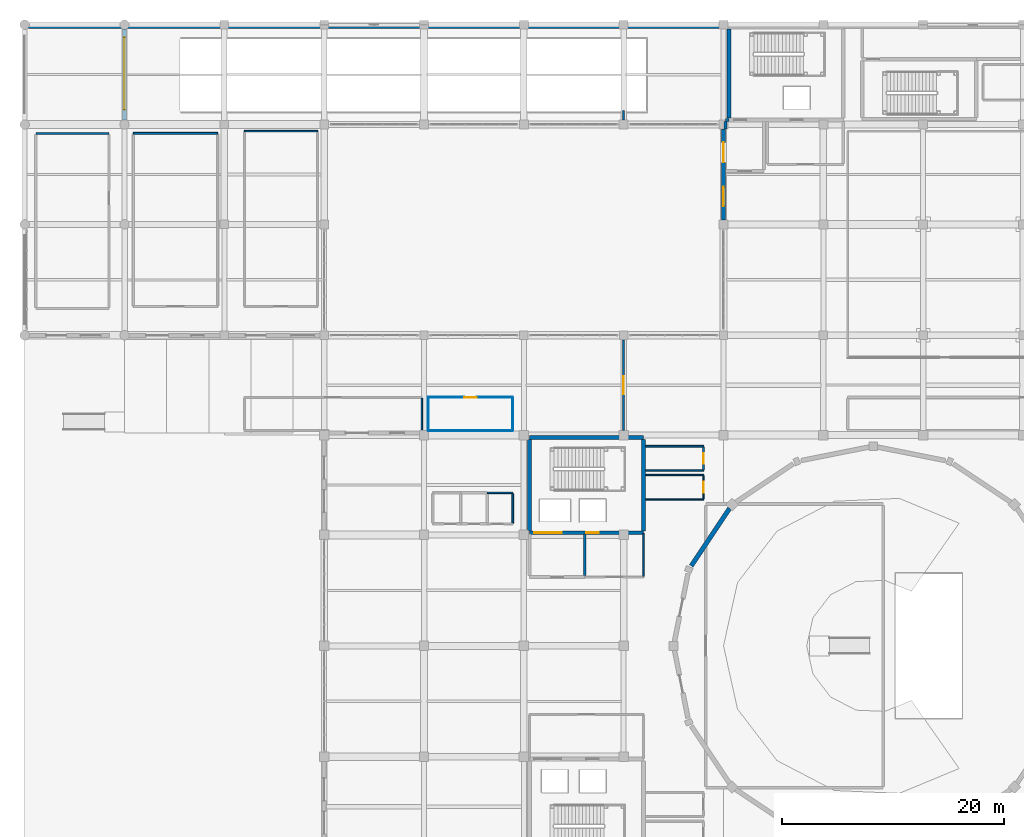
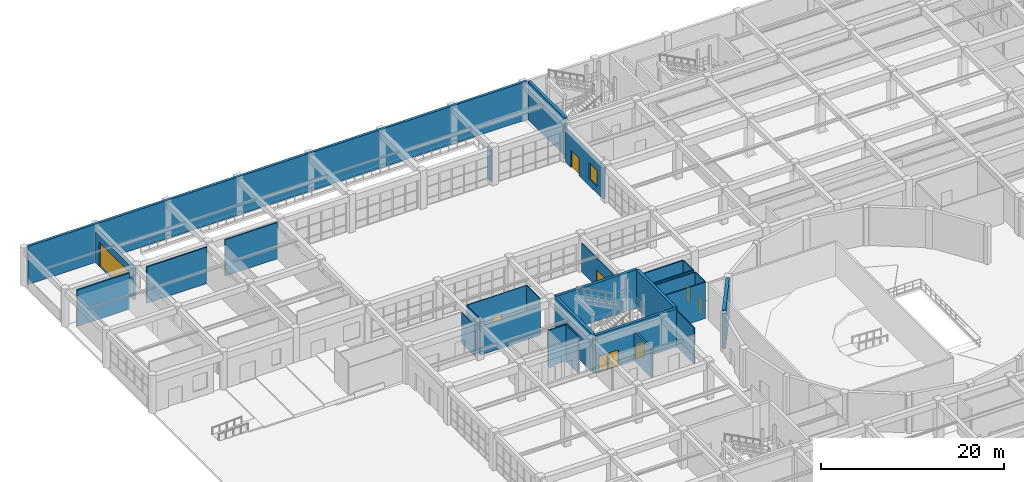
# One storey, part 107 of 128: 31 walls, 9 doors, 1 window, 10 openings.
"""IFC4 building model written with IfcOpenShell, lengths in metres."""

import ifcopenshell
import ifcopenshell.guid

model = None  # the IFC model being written
_history = None  # IfcOwnerHistory: only IFC2X3 demands one
_inside = {}  # id of a spatial element -> (the spatial element, [elements in it])
_under = {}  # id of a project, library or spatial element -> (it, [spatial elements below it])
_declared = {}  # id of a project -> (the project, [libraries it declares])
_typed = {}  # id of a type object -> (the type object, [elements of that type])
_made_of = {}  # id of a material, layer set ... -> (it, [elements and type objects made of it])


def new_model(schema):
    """Start an empty IFC model of exactly this schema.

    Asked for "IFC4X3", IfcOpenShell would pick the latest addendum, in which some entities
    have other attributes; the version numbers below select the first issue.
    IFC2X3 requires an IfcOwnerHistory on every rooted entity: one is made here for all.
    """
    global model, _history
    if schema == "IFC4X3":
        model = ifcopenshell.file(schema_version=(4, 3, 0, 0))
    else:
        model = ifcopenshell.file(schema=schema)
    _inside.clear()
    _under.clear()
    _declared.clear()
    _typed.clear()
    _made_of.clear()
    _history = None
    if model.schema == "IFC2X3":
        org = make("IfcOrganization", Name="unknown")
        user = make(
            "IfcPersonAndOrganization",
            ThePerson=make("IfcPerson", FamilyName="unknown"),
            TheOrganization=org,
        )
        app = make(
            "IfcApplication",
            ApplicationDeveloper=org,
            Version="unknown",
            ApplicationFullName="unknown",
            ApplicationIdentifier="unknown",
        )
        _history = make(
            "IfcOwnerHistory",
            OwningUser=user,
            OwningApplication=app,
            ChangeAction="ADDED",
            CreationDate=0,
        )
    return model


def make(cls, **values):
    """One entity of the class cls with the attributes given. An attribute that is None is left unset."""
    return model.create_entity(
        cls, **{name: value for name, value in values.items() if value is not None}
    )


def rooted(cls, **values):
    """An entity with a GlobalId (a new one), such as an element, a storey or a relation."""
    return make(cls, GlobalId=ifcopenshell.guid.new(), OwnerHistory=_history, **values)


def si_unit(unit_type, name, prefix=None):
    """IfcSIUnit, for example si_unit("LENGTHUNIT", "METRE", prefix="MILLI")."""
    return make("IfcSIUnit", UnitType=unit_type, Prefix=prefix, Name=name)


def assignment(units):
    """IfcUnitAssignment: the units of a project."""
    return None if units is None else make("IfcUnitAssignment", Units=units)


def point(xyz):
    """IfcCartesianPoint."""
    return None if xyz is None else make("IfcCartesianPoint", Coordinates=xyz)


def direction(xyz):
    """IfcDirection."""
    return None if xyz is None else make("IfcDirection", DirectionRatios=xyz)


def frame(location, z_axis=None, x_axis=None):
    """IfcAxis2Placement3D, a coordinate frame: its origin and axes. An axis left out is left unset."""
    return make(
        "IfcAxis2Placement3D",
        Location=point(location),
        Axis=direction(z_axis),
        RefDirection=direction(x_axis),
    )


def frame_2d(location, x_axis=None):
    """IfcAxis2Placement2D, a coordinate frame in the plane: its origin and x axis."""
    return make(
        "IfcAxis2Placement2D", Location=point(location), RefDirection=direction(x_axis)
    )


def origin():
    """The frame at (0, 0, 0) with its axes left unset."""
    return frame((0.0, 0.0, 0.0))


def place(relative_to, where):
    """IfcLocalPlacement: puts the frame where relative to a parent placement (None: the world)."""
    return make(
        "IfcLocalPlacement", PlacementRelTo=relative_to, RelativePlacement=where
    )


def context(
    kind, dimensions, precision=None, world=None, true_north=None, identifier=None
):
    """IfcGeometricRepresentationContext, for example the 3D "Model" context."""
    return make(
        "IfcGeometricRepresentationContext",
        ContextIdentifier=identifier,
        ContextType=kind,
        CoordinateSpaceDimension=dimensions,
        Precision=precision,
        WorldCoordinateSystem=world,
        TrueNorth=true_north,
    )


def subcontext(parent, identifier, kind, view, scale=None):
    """IfcGeometricRepresentationSubContext, for example "Body" below "Model"."""
    return make(
        "IfcGeometricRepresentationSubContext",
        ContextIdentifier=identifier,
        ContextType=kind,
        ParentContext=parent,
        TargetScale=scale,
        TargetView=view,
    )


def project(units=None, contexts=None):
    """IfcProject with its units and contexts."""
    return rooted(
        "IfcProject",
        Name="project",
        RepresentationContexts=contexts,
        UnitsInContext=assignment(units),
    )


def spatial(cls, under=None, at=None, **own):
    """A site, building, storey or space (cls), placed at a placement, below another one or the project."""
    s = rooted(cls, ObjectPlacement=at, **own)
    if under is not None:
        _under.setdefault(under.id(), (under, []))[1].append(s)
    return s


def profile(cls, at=None, kind="AREA", **sizes):
    """A parametric profile (cls). Its sizes go by their IFC names, for example OverallWidth=200.0."""
    return make(cls, ProfileType=kind, Position=at, **sizes)


def rectangle(**sizes):
    """IfcRectangleProfileDef."""
    return profile("IfcRectangleProfileDef", **sizes)


def extrude(swept, where, along, depth):
    """IfcExtrudedAreaSolid: the profile swept, set in the frame where, extruded along a direction by depth."""
    return make(
        "IfcExtrudedAreaSolid",
        SweptArea=swept,
        Position=where,
        ExtrudedDirection=direction(along),
        Depth=depth,
    )


def shape(context_of_items, identifier, shape_type, items):
    """IfcShapeRepresentation: the items that make up one representation, for example the "Body"."""
    return make(
        "IfcShapeRepresentation",
        ContextOfItems=context_of_items,
        RepresentationIdentifier=identifier,
        RepresentationType=shape_type,
        Items=items,
    )


def material(Name=None, Category=None):
    """IfcMaterial."""
    return make("IfcMaterial", Name=Name, Category=Category)


def layer(
    of_material, thickness, ventilated=None, Name=None, Category=None, Priority=None
):
    """IfcMaterialLayer: one layer of a wall or slab, of a material (None: an air gap)."""
    return make(
        "IfcMaterialLayer",
        Material=of_material,
        LayerThickness=thickness,
        IsVentilated=ventilated,
        Name=Name,
        Category=Category,
        Priority=Priority,
    )


def layer_set(layers, Name=None):
    """IfcMaterialLayerSet."""
    return make("IfcMaterialLayerSet", MaterialLayers=layers, LayerSetName=Name)


def made_of(thing, what):
    """Note that an element or type object is made of a material, layer set ...; save() writes the relation."""
    if what is not None:
        _made_of.setdefault(what.id(), (what, []))[1].append(thing)
    return thing


def type_object(cls, material=None, **own):
    """A type object (cls), such as IfcWallType, which elements share."""
    return made_of(rooted(cls, **own), material)


def element(
    cls,
    number,
    at=None,
    inside=None,
    cuts=None,
    type_object=None,
    material=None,
    context=None,
    identifier="Body",
    shape_type=None,
    held_by="IfcProductDefinitionShape",
    body=None,
    shapes=None,
    **own,
):
    """One element of the class cls, such as IfcWall. Its Tag is "e" and its number.

    at: its placement. inside: the storey or other place that contains it. cuts: it is an
    opening in that element (IfcRelVoidsElement). A single representation is given by context,
    identifier, shape_type and body (its items); several are given by shapes. held_by: the class
    of the entity that holds the representations. save() writes the other relations.
    """
    e = rooted(cls, Tag="e%d" % number, ObjectPlacement=at, **own)
    if body is not None:
        shapes = [shape(context, identifier, shape_type, body)]
    if shapes is not None:
        e.Representation = make(held_by, Representations=shapes)
    if inside is not None:
        _inside.setdefault(inside.id(), (inside, []))[1].append(e)
    if cuts is not None:
        rooted(
            "IfcRelVoidsElement", RelatingBuildingElement=cuts, RelatedOpeningElement=e
        )
    if type_object is not None:
        _typed.setdefault(type_object.id(), (type_object, []))[1].append(e)
    return made_of(e, material)


def fill(opening, filler):
    """IfcRelFillsElement: the door or window that sits in an opening."""
    return rooted(
        "IfcRelFillsElement",
        RelatingOpeningElement=opening,
        RelatedBuildingElement=filler,
    )


def aggregate(whole, parts):
    """IfcRelAggregates: a whole, such as a stair, and the parts it consists of."""
    return rooted("IfcRelAggregates", RelatingObject=whole, RelatedObjects=parts)


def save(model, path):
    """Write the relations noted so far, then the file.

    IfcRelAggregates (storeys below a building ...), IfcRelContainedInSpatialStructure (elements
    in a storey), IfcRelDefinesByType, IfcRelAssociatesMaterial and IfcRelDeclares: one each for
    every whole, place, type object, material and project.
    """
    for whole, parts in _under.values():
        aggregate(whole, parts)
    for where, things in _inside.values():
        rooted(
            "IfcRelContainedInSpatialStructure",
            RelatedElements=things,
            RelatingStructure=where,
        )
    for kind, things in _typed.values():
        rooted("IfcRelDefinesByType", RelatedObjects=things, RelatingType=kind)
    for what, things in _made_of.values():
        rooted("IfcRelAssociatesMaterial", RelatedObjects=things, RelatingMaterial=what)
    for by, libraries in _declared.values():
        rooted("IfcRelDeclares", RelatingContext=by, RelatedDefinitions=libraries)
    model.write(path)


model = new_model("IFC4")

# Units and contexts
model_context = context("Model", 3, precision=1e-05, world=origin(), true_north=direction((0.0, 1.0)))
body_context = subcontext(model_context, "Body", "Model", "MODEL_VIEW")
ifc_project = project(units=[si_unit("LENGTHUNIT", "METRE"), si_unit("AREAUNIT", "SQUARE_METRE"), si_unit("VOLUMEUNIT", "CUBIC_METRE"), si_unit("PLANEANGLEUNIT", "RADIAN"), si_unit("MASSUNIT", "GRAM", prefix="KILO")], contexts=[model_context])

# Site, building, storey
site_placement = place(None, origin())
site = spatial("IfcSite", under=ifc_project, at=site_placement, CompositionType="ELEMENT")
building_placement = place(site_placement, origin())
building = spatial("IfcBuilding", under=site, at=building_placement, Name="Miravela Opera House", CompositionType="ELEMENT")
storey_placement = place(building_placement, origin())
storey = spatial("IfcBuildingStorey", under=building, at=storey_placement, Name="L00", CompositionType="ELEMENT", Elevation=0.0)

# Wall, opening, door
ifc_material_1 = material(Name="Dark Guatemalan volcanic basalt stone ashlar", Category="masonry")
ifc_layer_1 = layer(ifc_material_1, 0.360107421875)
ifc_layer_set_1 = layer_set([ifc_layer_1])
wall_type_1 = type_object("IfcWallType", Name="ARC-EW-BASALT-360", PredefinedType="STANDARD", material=ifc_layer_set_1)
wall_1_placement = place(storey_placement, frame((9.0, 103.39111328125, 0.0), z_axis=(0.0, 0.0, 1.0), x_axis=(0.0, 1.0, 0.0)))
wall_1 = element("IfcWall", 1, at=wall_1_placement, inside=storey, type_object=wall_type_1, Name="Vehicle Ramp Entrance Portal Wall", PredefinedType="STANDARD", context=body_context, shape_type="SweptSolid", body=[
    extrude(rectangle(XDim=8.2177734375, YDim=0.360107421875, at=frame_2d((4.10888671875, 0.0))), origin(), (0.0, 0.0, 1.0), 4.179931640625),
])
opening_1_placement = place(wall_1_placement, frame((0.958984375, 0.0, 0.0)))
opening_1 = element("IfcOpeningElement", 2, at=opening_1_placement, cuts=wall_1, Name="Opening VG-01", PredefinedType="OPENING", context=body_context, shape_type="SweptSolid", body=[
    extrude(rectangle(XDim=6.5, YDim=3.199951171875, at=frame_2d((3.25, 1.60009765625))), frame((0.0, 0.18994140625, 0.0), z_axis=(0.0, -1.0, 0.0), x_axis=(1.0, 0.0, 0.0)), (0.0, 0.0, 1.0), 0.380126953125),
])
ifc_material_2 = material(Name="Galvanised painted steel roller shutter", Category="steel")
door_type_1 = type_object("IfcDoorType", Name="ARC-GATE-VG-6500", OperationType="ROLLINGUP", PredefinedType="GATE", material=ifc_material_2)
door_1_placement = place(opening_1_placement, origin())
door_1 = element("IfcDoor", 3, at=door_1_placement, inside=storey, type_object=door_type_1, Name="Vehicle Ramp Motorized Roller Shutter Gate VG-01 EXD-L00-005", OperationType="ROLLINGUP", OverallHeight=3.199951171875, OverallWidth=6.5, PredefinedType="GATE", context=body_context, shape_type="SweptSolid", body=[
    extrude(rectangle(XDim=6.5, YDim=3.199951171875, at=frame_2d((3.25, 1.60009765625))), frame((0.0, 0.02490234375, 0.0), z_axis=(0.0, -1.0, 0.0), x_axis=(1.0, 0.0, 0.0)), (0.0, 0.0, 1.0), 0.050048828125),
])
fill(opening_1, door_1)

# Wall, openings, door, window
wall_2_placement = place(storey_placement, frame((63.0, 94.39990234375, 0.0), z_axis=(0.0, 0.0, 1.0), x_axis=(0.0, 1.0, 0.0)))
wall_2 = element("IfcWall", 4, at=wall_2_placement, inside=storey, type_object=wall_type_1, Name="Stair ST-05 Court of Honour Exit Wall", PredefinedType="STANDARD", context=body_context, shape_type="SweptSolid", body=[
    extrude(rectangle(XDim=8.2001953125, YDim=0.360107421875, at=frame_2d((4.10009765625, 0.0))), origin(), (0.0, 0.0, 1.0), 4.1298828125),
])
opening_2_placement = place(wall_2_placement, frame((5.199951171875, 0.0, 0.0)))
opening_2 = element("IfcOpeningElement", 5, at=opening_2_placement, cuts=wall_2, Name="Opening EX-02", PredefinedType="OPENING", context=body_context, shape_type="SweptSolid", body=[
    extrude(rectangle(XDim=1.800048828125, YDim=2.300048828125, at=frame_2d((0.89990234375, 1.14990234375))), frame((0.0, 0.18994140625, 0.0), z_axis=(0.0, -1.0, 0.0), x_axis=(1.0, 0.0, 0.0)), (0.0, 0.0, 1.0), 0.380126953125),
])
opening_3_placement = place(wall_2_placement, frame((1.25, 0.0, 0.89990234375)))
opening_3 = element("IfcOpeningElement", 6, at=opening_3_placement, cuts=wall_2, Name="Opening W-25", PredefinedType="OPENING", context=body_context, shape_type="SweptSolid", body=[
    extrude(rectangle(XDim=1.719970703125, YDim=2.14990234375, at=frame_2d((0.85986328125, 1.074951171875))), frame((0.0, 0.18994140625, 0.0), z_axis=(0.0, -1.0, 0.0), x_axis=(1.0, 0.0, 0.0)), (0.0, 0.0, 1.0), 0.380126953125),
])
ifc_material_3 = material(Name="Anodised architectural bronze aluminium 6063-T6", Category="aluminium")
door_type_2 = type_object("IfcDoorType", Name="ARC-EXD-1800X2300", OperationType="NOTDEFINED", PredefinedType="DOOR", material=ifc_material_3)
door_2_placement = place(opening_2_placement, origin())
door_2 = element("IfcDoor", 7, at=door_2_placement, inside=storey, type_object=door_type_2, Name="Stair ST-05 Court of Honour Exit EXD-L00-024", OperationType="DOUBLE_DOOR_SINGLE_SWING", OverallHeight=2.300048828125, OverallWidth=1.800048828125, PredefinedType="DOOR", context=body_context, shape_type="SweptSolid", body=[
    extrude(rectangle(XDim=1.800048828125, YDim=2.300048828125, at=frame_2d((0.89990234375, 1.14990234375))), frame((0.0, 0.02490234375, 0.0), z_axis=(0.0, -1.0, 0.0), x_axis=(1.0, 0.0, 0.0)), (0.0, 0.0, 1.0), 0.050048828125),
])
fill(opening_2, door_2)
ifc_material_4 = material(Name="Bronze-anodised aluminium and acoustic low-E glass", Category="aluminium")
window_type = type_object("IfcWindowType", Name="ARC-WIN-25", PartitioningType="DOUBLE_PANEL_VERTICAL", PredefinedType="WINDOW", material=ifc_material_4)
window_placement = place(opening_3_placement, origin())
window = element("IfcWindow", 8, at=window_placement, inside=storey, type_object=window_type, Name="Window W-25 #019", OverallHeight=2.14990234375, OverallWidth=1.719970703125, PartitioningType="DOUBLE_PANEL_VERTICAL", PredefinedType="WINDOW", context=body_context, shape_type="SweptSolid", body=[
    extrude(rectangle(XDim=1.719970703125, YDim=2.14990234375, at=frame_2d((0.85986328125, 1.074951171875))), frame((0.0, 0.030029296875, 0.0), z_axis=(0.0, -1.0, 0.0), x_axis=(1.0, 0.0, 0.0)), (0.0, 0.0, 1.0), 0.06005859375),
])
fill(opening_3, window)

# Walls
ifc_material_5 = material(Name="Sanitary chase acoustic plumbing wall")
ifc_layer_2 = layer(ifc_material_5, 0.139892578125)
ifc_layer_set_2 = layer_set([ifc_layer_2])
wall_type_2 = type_object("IfcWallType", Name="ARC-PLW-150", PredefinedType="PLUMBINGWALL", material=ifc_layer_set_2)
wall_3_placement = place(storey_placement, frame((41.699951171875, 69.800048828125, 0.0), z_axis=(0.0, 0.0, 1.0), x_axis=(1.0, 0.0, 0.0)))
element("IfcWall", 9, at=wall_3_placement, inside=storey, type_object=wall_type_2, Name="Male Public WC L00 Partition North", PredefinedType="PLUMBINGWALL", context=body_context, shape_type="SweptSolid", body=[
    extrude(rectangle(XDim=2.300048828125, YDim=0.139892578125, at=frame_2d((1.14990234375, 0.0))), origin(), (0.0, 0.0, 1.0), 4.85009765625),
])
wall_4_placement = place(storey_placement, frame((44.0, 67.070068359375, 0.0), z_axis=(0.0, 0.0, 1.0), x_axis=(0.0, 1.0, 0.0)))
element("IfcWall", 10, at=wall_4_placement, inside=storey, type_object=wall_type_2, Name="Male Public WC L00 Partition East", PredefinedType="PLUMBINGWALL", context=body_context, shape_type="SweptSolid", body=[
    extrude(rectangle(XDim=2.659912109375, YDim=0.139892578125, at=frame_2d((1.330078125, 0.0))), origin(), (0.0, 0.0, 1.0), 4.85009765625),
])
ifc_material_6 = material(Name="Acoustic metal-stud gypsum partition")
ifc_layer_3 = layer(ifc_material_6, 0.090087890625)
ifc_layer_set_3 = layer_set([ifc_layer_3])
wall_type_3 = type_object("IfcWallType", Name="ARC-PT-090", PredefinedType="PARTITIONING", material=ifc_layer_set_3)
wall_5_placement = place(storey_placement, frame((36.39990234375, 75.39990234375, 0.0), z_axis=(0.0, 0.0, 1.0), x_axis=(1.0, 0.0, 0.0)))
element("IfcWall", 11, at=wall_5_placement, inside=storey, type_object=wall_type_3, Name="Chamber Music Salon North Partition South", PredefinedType="PARTITIONING", context=body_context, shape_type="SweptSolid", body=[
    extrude(rectangle(XDim=7.60009765625, YDim=0.090087890625, at=frame_2d((3.800048828125, 0.0))), origin(), (0.0, 0.0, 1.0), 3.830078125),
])

# Wall, opening, door
wall_6_placement = place(storey_placement, frame((36.39990234375, 78.39990234375, 0.0), z_axis=(0.0, 0.0, 1.0), x_axis=(1.0, 0.0, 0.0)))
wall_6 = element("IfcWall", 12, at=wall_6_placement, inside=storey, type_object=wall_type_3, Name="Chamber Music Salon North Partition North", PredefinedType="PARTITIONING", context=body_context, shape_type="SweptSolid", body=[
    extrude(rectangle(XDim=7.60009765625, YDim=0.090087890625, at=frame_2d((3.800048828125, 0.0))), origin(), (0.0, 0.0, 1.0), 4.85009765625),
])
opening_4_placement = place(wall_6_placement, frame((3.22998046875, 0.0, 0.0)))
opening_4 = element("IfcOpeningElement", 13, at=opening_4_placement, cuts=wall_6, Name="Opening ID-23", PredefinedType="OPENING", context=body_context, shape_type="SweptSolid", body=[
    extrude(rectangle(XDim=1.139892578125, YDim=2.139892578125, at=frame_2d((0.56982421875, 1.06982421875))), frame((0.0, 0.054931640625, 0.0), z_axis=(0.0, -1.0, 0.0), x_axis=(1.0, 0.0, 0.0)), (0.0, 0.0, 1.0), 0.110107421875),
])
ifc_material_7 = material(Name="Hardwood acoustic timber door leaf", Category="wood")
door_type_3 = type_object("IfcDoorType", Name="ARC-IDR-114X214", OperationType="NOTDEFINED", PredefinedType="DOOR", material=ifc_material_7)
door_3_placement = place(opening_4_placement, origin())
door_3 = element("IfcDoor", 14, at=door_3_placement, inside=storey, type_object=door_type_3, Name="Chamber Music Salon North Entry Door IDR-L00-0126", OperationType="SINGLE_SWING_LEFT", OverallHeight=2.139892578125, OverallWidth=1.139892578125, PredefinedType="DOOR", context=body_context, shape_type="SweptSolid", body=[
    extrude(rectangle(XDim=1.139892578125, YDim=2.139892578125, at=frame_2d((0.56982421875, 1.06982421875))), frame((0.0, 0.02490234375, 0.0), z_axis=(0.0, -1.0, 0.0), x_axis=(1.0, 0.0, 0.0)), (0.0, 0.0, 1.0), 0.050048828125),
])
fill(opening_4, door_3)

# Walls
for number, where, z_axis, x_axis, name in (
    (15, (36.39990234375, 75.445068359375, 0.0), (0.0, 0.0, 1.0), (0.0, 1.0, 0.0), "Chamber Music Salon North Partition West"),
    (16, (44.0, 75.445068359375, 0.0), (0.0, 0.0, 1.0), (0.0, 1.0, 0.0), "Chamber Music Salon North Partition East"),
):
    element("IfcWall", number, at=place(storey_placement, frame(where, z_axis=z_axis, x_axis=x_axis)), inside=storey, type_object=wall_type_3, Name=name, PredefinedType="PARTITIONING", context=body_context, shape_type="SweptSolid", body=[
        extrude(rectangle(XDim=2.909912109375, YDim=0.090087890625, at=frame_2d((1.455078125, 0.0))), origin(), (0.0, 0.0, 1.0), 4.85009765625),
    ])
ifc_material_8 = material(Name="Double-layer acoustic gypsum partition")
ifc_layer_4 = layer(ifc_material_8, 0.110107421875)
ifc_layer_set_4 = layer_set([ifc_layer_4])
wall_type_4 = type_object("IfcWallType", Name="ARC-PT-110", PredefinedType="PARTITIONING", material=ifc_layer_set_4)
for number, where, z_axis, x_axis, name in (
    (17, (55.97509765625, 69.199951171875, 0.0), (0.0, 0.0, 1.0), (1.0, 0.0, 0.0), "Auditorium Stalls Vomitory North-West Partition South"),
    (18, (55.97509765625, 71.39990234375, 0.0), (0.0, 0.0, 1.0), (1.0, 0.0, 0.0), "Auditorium Stalls Vomitory North-West Partition North"),
):
    element("IfcWall", number, at=place(storey_placement, frame(where, z_axis=z_axis, x_axis=x_axis)), inside=storey, type_object=wall_type_4, Name=name, PredefinedType="PARTITIONING", context=body_context, shape_type="SweptSolid", body=[
        extrude(rectangle(XDim=5.224853515625, YDim=0.110107421875, at=frame_2d((2.6123046875, 0.0))), origin(), (0.0, 0.0, 1.0), 4.85009765625),
    ])

# Wall, opening, door
wall_7_placement = place(storey_placement, frame((61.199951171875, 69.2548828125, 0.0), z_axis=(0.0, 0.0, 1.0), x_axis=(0.0, 1.0, 0.0)))
wall_7 = element("IfcWall", 19, at=wall_7_placement, inside=storey, type_object=wall_type_4, Name="Auditorium Stalls Vomitory North-West Partition East", PredefinedType="PARTITIONING", context=body_context, shape_type="SweptSolid", body=[
    extrude(rectangle(XDim=2.090087890625, YDim=0.110107421875, at=frame_2d((1.044921875, 0.0))), origin(), (0.0, 0.0, 1.0), 4.85009765625),
])
opening_5_placement = place(wall_7_placement, frame((0.570068359375, 0.0, 0.0)))
opening_5 = element("IfcOpeningElement", 20, at=opening_5_placement, cuts=wall_7, Name="Opening ID-01", PredefinedType="OPENING", context=body_context, shape_type="SweptSolid", body=[
    extrude(rectangle(XDim=0.949951171875, YDim=2.14990234375, at=frame_2d((0.47509765625, 1.074951171875))), frame((0.0, 0.06494140625, 0.0), z_axis=(0.0, -1.0, 0.0), x_axis=(1.0, 0.0, 0.0)), (0.0, 0.0, 1.0), 0.130126953125),
])
ifc_material_9 = material(Name="Solid mahogany acoustic room door")
door_type_4 = type_object("IfcDoorType", Name="ARC-DR-950X2150", OperationType="NOTDEFINED", PredefinedType="DOOR", material=ifc_material_9)
door_4_placement = place(opening_5_placement, frame((0.949951171875, 0.0, 0.0), z_axis=(0.0, 0.0, 1.0), x_axis=(-1.0, 0.0, 0.0)))
door_4 = element("IfcDoor", 21, at=door_4_placement, inside=storey, type_object=door_type_4, Name="Auditorium Stalls Vomitory North-West Entry Door IDR-L00-0096", OperationType="SINGLE_SWING_RIGHT", OverallHeight=2.14990234375, OverallWidth=0.949951171875, PredefinedType="DOOR", context=body_context, shape_type="SweptSolid", body=[
    extrude(rectangle(XDim=0.949951171875, YDim=2.14990234375, at=frame_2d((0.47509765625, 1.074951171875))), frame((0.0, 0.02490234375, 0.0), z_axis=(0.0, -1.0, 0.0), x_axis=(1.0, 0.0, 0.0)), (0.0, 0.0, 1.0), 0.050048828125),
])
fill(opening_5, door_4)

# Walls
ifc_material_10 = material(Name="Fire-rated acoustic gypsum partition")
ifc_layer_5 = layer(ifc_material_10, 0.1298828125)
ifc_layer_set_5 = layer_set([ifc_layer_5])
wall_type_5 = type_object("IfcWallType", Name="ARC-PT-130", PredefinedType="PARTITIONING", material=ifc_layer_set_5)
wall_8_placement = place(storey_placement, frame((55.800048828125, 62.264892578125, 0.0), z_axis=(0.0, 0.0, 1.0), x_axis=(0.0, 1.0, 0.0)))
element("IfcWall", 22, at=wall_8_placement, inside=storey, type_object=wall_type_5, Name="Passenger Lift Lobby K1 L00 Partition East", PredefinedType="PARTITIONING", context=body_context, shape_type="SweptSolid", body=[
    extrude(rectangle(XDim=3.8701171875, YDim=0.1298828125, at=frame_2d((1.93505859375, 0.0))), origin(), (0.0, 0.0, 1.0), 4.85009765625),
])
wall_9_placement = place(storey_placement, frame((19.800048828125, 102.39990234375, 0.0), z_axis=(0.0, 0.0, 1.0), x_axis=(1.0, 0.0, 0.0)))
element("IfcWall", 23, at=wall_9_placement, inside=storey, type_object=wall_type_5, Name="Orchestra Library Preparation Suite Partition North", PredefinedType="PARTITIONING", context=body_context, shape_type="SweptSolid", body=[
    extrude(rectangle(XDim=6.599853515625, YDim=0.1298828125, at=frame_2d((3.2998046875, 0.0))), origin(), (0.0, 0.0, 1.0), 4.85009765625),
])
wall_10_placement = place(storey_placement, frame((35.800048828125, 75.465087890625, 0.0), z_axis=(0.0, 0.0, 1.0), x_axis=(0.0, 1.0, 0.0)))
element("IfcWall", 24, at=wall_10_placement, inside=storey, type_object=wall_type_5, Name="Orchestral Archive Annex Partition East", PredefinedType="PARTITIONING", context=body_context, shape_type="SweptSolid", body=[
    extrude(rectangle(XDim=2.869873046875, YDim=0.1298828125, at=frame_2d((1.43505859375, 0.0))), origin(), (0.0, 0.0, 1.0), 4.179931640625),
])
ifc_material_11 = material(Name="Studio double-stud acoustic partition")
ifc_layer_6 = layer(ifc_material_11, 0.14990234375)
ifc_layer_set_6 = layer_set([ifc_layer_6])
wall_type_6 = type_object("IfcWallType", Name="ARC-PT-145", PredefinedType="PARTITIONING", material=ifc_layer_set_6)
for number, where, z_axis, x_axis, name in (
    (25, (55.97509765625, 71.800048828125, 0.0), (0.0, 0.0, 1.0), (1.0, 0.0, 0.0), "Auditorium Stalls Vomitory North-East Partition South"),
    (26, (55.97509765625, 74.0, 0.0), (0.0, 0.0, 1.0), (1.0, 0.0, 0.0), "Auditorium Stalls Vomitory North-East Partition North"),
):
    element("IfcWall", number, at=place(storey_placement, frame(where, z_axis=z_axis, x_axis=x_axis)), inside=storey, type_object=wall_type_6, Name=name, PredefinedType="PARTITIONING", context=body_context, shape_type="SweptSolid", body=[
        extrude(rectangle(XDim=5.224853515625, YDim=0.14990234375, at=frame_2d((2.6123046875, 0.0))), origin(), (0.0, 0.0, 1.0), 4.85009765625),
    ])

# Wall, opening, door
wall_11_placement = place(storey_placement, frame((61.199951171875, 71.875, 0.0), z_axis=(0.0, 0.0, 1.0), x_axis=(0.0, 1.0, 0.0)))
wall_11 = element("IfcWall", 27, at=wall_11_placement, inside=storey, type_object=wall_type_6, Name="Auditorium Stalls Vomitory North-East Partition East", PredefinedType="PARTITIONING", context=body_context, shape_type="SweptSolid", body=[
    extrude(rectangle(XDim=2.050048828125, YDim=0.14990234375, at=frame_2d((1.02490234375, 0.0))), origin(), (0.0, 0.0, 1.0), 4.85009765625),
])
opening_6_placement = place(wall_11_placement, frame((0.550048828125, 0.0, 0.0)))
opening_6 = element("IfcOpeningElement", 28, at=opening_6_placement, cuts=wall_11, Name="Opening ID-01", PredefinedType="OPENING", context=body_context, shape_type="SweptSolid", body=[
    extrude(rectangle(XDim=0.949951171875, YDim=2.14990234375, at=frame_2d((0.47509765625, 1.074951171875))), frame((0.0, 0.0849609375, 0.0), z_axis=(0.0, -1.0, 0.0), x_axis=(1.0, 0.0, 0.0)), (0.0, 0.0, 1.0), 0.169921875),
])
door_5_placement = place(opening_6_placement, frame((0.949951171875, 0.0, 0.0), z_axis=(0.0, 0.0, 1.0), x_axis=(-1.0, 0.0, 0.0)))
door_5 = element("IfcDoor", 29, at=door_5_placement, inside=storey, type_object=door_type_4, Name="Auditorium Stalls Vomitory North-East Entry Door IDR-L00-0098", OperationType="SINGLE_SWING_RIGHT", OverallHeight=2.14990234375, OverallWidth=0.949951171875, PredefinedType="DOOR", context=body_context, shape_type="SweptSolid", body=[
    extrude(rectangle(XDim=0.949951171875, YDim=2.14990234375, at=frame_2d((0.47509765625, 1.074951171875))), frame((0.0, 0.02490234375, 0.0), z_axis=(0.0, -1.0, 0.0), x_axis=(1.0, 0.0, 0.0)), (0.0, 0.0, 1.0), 0.050048828125),
])
fill(opening_6, door_5)

# Walls
ifc_material_12 = material(Name="Rehearsal isolated acoustic partition")
ifc_layer_7 = layer(ifc_material_12, 0.169921875)
ifc_layer_set_7 = layer_set([ifc_layer_7])
wall_type_7 = type_object("IfcWallType", Name="ARC-PT-170", PredefinedType="PARTITIONING", material=ifc_layer_set_7)
wall_12_placement = place(storey_placement, frame((9.800048828125, 102.199951171875, 0.0), z_axis=(0.0, 0.0, 1.0), x_axis=(1.0, 0.0, 0.0)))
element("IfcWall", 30, at=wall_12_placement, inside=storey, type_object=wall_type_7, Name="Patron Cloakroom and Reception Lounge Partition North", PredefinedType="PARTITIONING", context=body_context, shape_type="SweptSolid", body=[
    extrude(rectangle(XDim=7.599853515625, YDim=0.169921875, at=frame_2d((3.7998046875, 0.0))), origin(), (0.0, 0.0, 1.0), 4.85009765625),
])
ifc_material_13 = material(Name="Corridor fire-resisting masonry partition", Category="masonry")
ifc_layer_8 = layer(ifc_material_13, 0.18994140625)
ifc_layer_set_8 = layer_set([ifc_layer_8])
wall_type_8 = type_object("IfcWallType", Name="ARC-PT-190", PredefinedType="PARTITIONING", material=ifc_layer_set_8)
wall_13_placement = place(storey_placement, frame((1.0, 102.199951171875, 0.0), z_axis=(0.0, 0.0, 1.0), x_axis=(1.0, 0.0, 0.0)))
element("IfcWall", 31, at=wall_13_placement, inside=storey, type_object=wall_type_8, Name="Ticket Box Office and Patron Services Partition North", PredefinedType="PARTITIONING", context=body_context, shape_type="SweptSolid", body=[
    extrude(rectangle(XDim=6.60009765625, YDim=0.18994140625, at=frame_2d((3.300048828125, 0.0))), origin(), (0.0, 0.0, 1.0), 4.85009765625),
])
wall_14_placement = place(storey_placement, frame((54.0, 103.39990234375, 0.0), z_axis=(0.0, 0.0, 1.0), x_axis=(0.0, 1.0, 0.0)))
element("IfcWall", 32, at=wall_14_placement, inside=storey, type_object=wall_type_8, Name="Corridor Fire Smoke Compartment Closure PT-SMOKE-L00-0956", PredefinedType="PARTITIONING", context=body_context, shape_type="SweptSolid", body=[
    extrude(rectangle(XDim=0.85009765625, YDim=0.18994140625, at=frame_2d((0.425048828125, 0.0))), origin(), (0.0, 0.0, 1.0), 4.14990234375),
])

# Wall, opening, door
wall_15_placement = place(storey_placement, frame((54.0, 75.429931640625, 0.0), z_axis=(0.0, 0.0, 1.0), x_axis=(0.0, 1.0, 0.0)))
wall_15 = element("IfcWall", 33, at=wall_15_placement, inside=storey, type_object=wall_type_8, Name="Corridor Fire Smoke Compartment Partition PT-SMOKE-L00-0957", PredefinedType="PARTITIONING", context=body_context, shape_type="SweptSolid", body=[
    extrude(rectangle(XDim=8.14013671875, YDim=0.18994140625, at=frame_2d((4.070068359375, 0.0))), origin(), (0.0, 0.0, 1.0), 3.830078125),
])
opening_7_placement = place(wall_15_placement, frame((3.27001953125, 0.0, 0.0)))
opening_7 = element("IfcOpeningElement", 34, at=opening_7_placement, cuts=wall_15, Name="Opening FD-04", PredefinedType="OPENING", context=body_context, shape_type="SweptSolid", body=[
    extrude(rectangle(XDim=1.60009765625, YDim=2.25, at=frame_2d((0.800048828125, 1.125))), frame((0.0, 0.10498046875, 0.0), z_axis=(0.0, -1.0, 0.0), x_axis=(1.0, 0.0, 0.0)), (0.0, 0.0, 1.0), 0.2099609375),
])
ifc_material_14 = material(Name="Fire-rated rehearsal/vomitory double door")
door_type_5 = type_object("IfcDoorType", Name="ARC-FD-1600X2250", OperationType="NOTDEFINED", PredefinedType="DOOR", material=ifc_material_14)
door_6_placement = place(opening_7_placement, frame((1.60009765625, 0.0, 0.0), z_axis=(0.0, 0.0, 1.0), x_axis=(-1.0, 0.0, 0.0)))
door_6 = element("IfcDoor", 35, at=door_6_placement, inside=storey, type_object=door_type_5, Name="Corridor Smoke Compartment Door 01 IDR-L00-0347", OperationType="DOUBLE_DOOR_SINGLE_SWING", OverallHeight=2.25, OverallWidth=1.60009765625, PredefinedType="DOOR", context=body_context, shape_type="SweptSolid", body=[
    extrude(rectangle(XDim=1.60009765625, YDim=2.25, at=frame_2d((0.800048828125, 1.125))), frame((0.0, 0.02490234375, 0.0), z_axis=(0.0, -1.0, 0.0), x_axis=(1.0, 0.0, 0.0)), (0.0, 0.0, 1.0), 0.050048828125),
])
fill(opening_7, door_6)

# Walls
ifc_material_15 = material(Name="Firefighting lobby compartment wall")
ifc_layer_9 = layer(ifc_material_15, 0.25)
ifc_layer_set_9 = layer_set([ifc_layer_9])
wall_type_9 = type_object("IfcWallType", Name="ARC-PT-220", PredefinedType="PARTITIONING", material=ifc_layer_set_9)
wall_16_placement = place(storey_placement, frame((50.5, 62.324951171875, 0.0), z_axis=(0.0, 0.0, 1.0), x_axis=(0.0, 1.0, 0.0)))
element("IfcWall", 36, at=wall_16_placement, inside=storey, type_object=wall_type_9, Name="Firefighting Lobby K1 L00 Partition East", PredefinedType="PARTITIONING", context=body_context, shape_type="SweptSolid", body=[
    extrude(rectangle(XDim=3.75, YDim=0.25, at=frame_2d((1.875, 0.0))), origin(), (0.0, 0.0, 1.0), 3.929931640625),
])
wall_17_placement = place(storey_placement, frame((63.179931640625, 103.39990234375, 0.0), z_axis=(0.0, 0.0, 1.0), x_axis=(1.0, 0.0, 0.0)))
element("IfcWall", 37, at=wall_17_placement, inside=storey, type_object=wall_type_9, Name="Protected Exit Passageway ST-05 Partition North", PredefinedType="PARTITIONING", context=body_context, shape_type="SweptSolid", body=[
    extrude(rectangle(XDim=0.320068359375, YDim=0.25, at=frame_2d((0.16015625, 0.0))), origin(), (0.0, 0.0, 1.0), 3.97998046875),
])
wall_18_placement = place(storey_placement, frame((63.179931640625, 102.60009765625, 0.0), z_axis=(0.0, 0.0, 1.0), x_axis=(0.0, 1.0, 0.0)))
element("IfcWall", 38, at=wall_18_placement, inside=storey, type_object=wall_type_9, Name="Protected Exit Passageway ST-05 Partition West", PredefinedType="PARTITIONING", context=body_context, shape_type="SweptSolid", body=[
    extrude(rectangle(XDim=0.6748046875, YDim=0.25, at=frame_2d((0.33740234375, 0.0))), origin(), (0.0, 0.0, 1.0), 3.97998046875),
])

# Wall, openings, doors
ifc_material_16 = material(Name="Concrete C40/50", Category="concrete")
ifc_layer_10 = layer(ifc_material_16, 0.35009765625)
ifc_layer_set_10 = layer_set([ifc_layer_10])
wall_type_10 = type_object("IfcWallType", Name="STR-WALL-CORE-350", PredefinedType="SHEAR", material=ifc_layer_set_10)
wall_19_placement = place(storey_placement, frame((45.5, 66.199951171875, 0.0), z_axis=(0.0, 0.0, 1.0), x_axis=(1.0, 0.0, 0.0)))
wall_19 = element("IfcWall", 39, at=wall_19_placement, inside=storey, type_object=wall_type_10, Name="Core K1 Shear Wall South (L00)", PredefinedType="SHEAR", context=body_context, shape_type="SweptSolid", body=[
    extrude(rectangle(XDim=10.300048828125, YDim=0.35009765625, at=frame_2d((5.14990234375, 0.0))), origin(), (0.0, 0.0, 1.0), 5.10009765625),
])
opening_8_placement = place(wall_19_placement, frame((0.449951171875, 0.0, 0.0)))
opening_8 = element("IfcOpeningElement", 40, at=opening_8_placement, cuts=wall_19, Name="Opening FD-01", PredefinedType="OPENING", context=body_context, shape_type="SweptSolid", body=[
    extrude(rectangle(XDim=1.10009765625, YDim=2.199951171875, at=frame_2d((0.550048828125, 1.10009765625))), frame((0.0, 0.18505859375, 0.0), z_axis=(0.0, -1.0, 0.0), x_axis=(1.0, 0.0, 0.0)), (0.0, 0.0, 1.0), 0.3701171875),
])
opening_9_placement = place(wall_19_placement, frame((1.68994140625, 0.0, 0.0)))
opening_9 = element("IfcOpeningElement", 41, at=opening_9_placement, cuts=wall_19, Name="Opening LD-01", PredefinedType="OPENING", context=body_context, shape_type="SweptSolid", body=[
    extrude(rectangle(XDim=1.219970703125, YDim=2.199951171875, at=frame_2d((0.60986328125, 1.10009765625))), frame((0.0, 0.18505859375, 0.0), z_axis=(0.0, -1.0, 0.0), x_axis=(1.0, 0.0, 0.0)), (0.0, 0.0, 1.0), 0.3701171875),
])
opening_10_placement = place(wall_19_placement, frame((5.139892578125, 0.0, 0.0)))
opening_10 = element("IfcOpeningElement", 42, at=opening_10_placement, cuts=wall_19, Name="Opening LD-02", PredefinedType="OPENING", context=body_context, shape_type="SweptSolid", body=[
    extrude(rectangle(XDim=1.1201171875, YDim=2.159912109375, at=frame_2d((0.56005859375, 1.080078125))), frame((0.0, 0.18505859375, 0.0), z_axis=(0.0, -1.0, 0.0), x_axis=(1.0, 0.0, 0.0)), (0.0, 0.0, 1.0), 0.3701171875),
])
ifc_material_17 = material(Name="Fire-rated steel/hardwood exit stair door", Category="steel")
door_type_6 = type_object("IfcDoorType", Name="ARC-FD-1100X2200", OperationType="NOTDEFINED", PredefinedType="DOOR", material=ifc_material_17)
door_7_placement = place(opening_8_placement, origin())
door_7 = element("IfcDoor", 43, at=door_7_placement, inside=storey, type_object=door_type_6, Name="Exit Stair ST-01 Rated Door (L00) IDR-L00-0002", OperationType="SINGLE_SWING_RIGHT", OverallHeight=2.199951171875, OverallWidth=1.10009765625, PredefinedType="DOOR", context=body_context, shape_type="SweptSolid", body=[
    extrude(rectangle(XDim=1.10009765625, YDim=2.199951171875, at=frame_2d((0.550048828125, 1.10009765625))), frame((0.0, 0.02490234375, 0.0), z_axis=(0.0, -1.0, 0.0), x_axis=(1.0, 0.0, 0.0)), (0.0, 0.0, 1.0), 0.050048828125),
])
fill(opening_8, door_7)
ifc_material_18 = material(Name="Brushed stainless and bronze fire-rated lift landing door")
door_type_7 = type_object("IfcDoorType", Name="ARC-LD-FFL-1200X2200", OperationType="SLIDING_TO_LEFT", PredefinedType="DOOR", material=ifc_material_18)
door_8_placement = place(opening_9_placement, origin())
door_8 = element("IfcDoor", 44, at=door_8_placement, inside=storey, type_object=door_type_7, Name="Lift Landing Door FFL-01 (L00)", OperationType="SLIDING_TO_LEFT", OverallHeight=2.199951171875, OverallWidth=1.219970703125, PredefinedType="DOOR", context=body_context, shape_type="SweptSolid", body=[
    extrude(rectangle(XDim=1.219970703125, YDim=2.199951171875, at=frame_2d((0.60986328125, 1.10009765625))), frame((0.0, 0.02490234375, 0.0), z_axis=(0.0, -1.0, 0.0), x_axis=(1.0, 0.0, 0.0)), (0.0, 0.0, 1.0), 0.050048828125),
])
fill(opening_9, door_8)
door_type_8 = type_object("IfcDoorType", Name="ARC-LD-PAX-1100X2150", OperationType="SLIDING_TO_LEFT", PredefinedType="DOOR", material=ifc_material_18)
door_9_placement = place(opening_10_placement, origin())
door_9 = element("IfcDoor", 45, at=door_9_placement, inside=storey, type_object=door_type_8, Name="Lift Landing Door PL-01 (L00)", OperationType="SLIDING_TO_LEFT", OverallHeight=2.159912109375, OverallWidth=1.1201171875, PredefinedType="DOOR", context=body_context, shape_type="SweptSolid", body=[
    extrude(rectangle(XDim=1.1201171875, YDim=2.159912109375, at=frame_2d((0.56005859375, 1.080078125))), frame((0.0, 0.02490234375, 0.0), z_axis=(0.0, -1.0, 0.0), x_axis=(1.0, 0.0, 0.0)), (0.0, 0.0, 1.0), 0.050048828125),
])
fill(opening_10, door_9)

# Walls
wall_20_placement = place(storey_placement, frame((45.5, 74.800048828125, 0.0), z_axis=(0.0, 0.0, 1.0), x_axis=(1.0, 0.0, 0.0)))
element("IfcWall", 46, at=wall_20_placement, inside=storey, type_object=wall_type_10, Name="Core K1 Shear Wall North (L00)", PredefinedType="SHEAR", context=body_context, shape_type="SweptSolid", body=[
    extrude(rectangle(XDim=10.300048828125, YDim=0.35009765625, at=frame_2d((5.14990234375, 0.0))), origin(), (0.0, 0.0, 1.0), 5.10009765625),
])
for number, where, z_axis, x_axis, name in (
    (47, (45.5, 66.375, 0.0), (0.0, 0.0, 1.0), (0.0, 1.0, 0.0), "Core K1 Shear Wall West (L00)"),
    (48, (55.800048828125, 66.375, 0.0), (0.0, 0.0, 1.0), (0.0, 1.0, 0.0), "Core K1 Shear Wall East (L00)"),
):
    element("IfcWall", number, at=place(storey_placement, frame(where, z_axis=z_axis, x_axis=x_axis)), inside=storey, type_object=wall_type_10, Name=name, PredefinedType="SHEAR", context=body_context, shape_type="SweptSolid", body=[
        extrude(rectangle(XDim=8.25, YDim=0.35009765625, at=frame_2d((4.125, 0.0))), origin(), (0.0, 0.0, 1.0), 5.10009765625),
    ])
wall_21_placement = place(storey_placement, frame((63.5, 103.574951171875, 0.0), z_axis=(0.0, 0.0, 1.0), x_axis=(0.0, 1.0, 0.0)))
element("IfcWall", 49, at=wall_21_placement, inside=storey, type_object=wall_type_10, Name="Core K5 Shear Wall West (L00)", PredefinedType="SHEAR", context=body_context, shape_type="SweptSolid", body=[
    extrude(rectangle(XDim=8.050048828125, YDim=0.35009765625, at=frame_2d((4.02490234375, 0.0))), origin(), (0.0, 0.0, 1.0), 5.10009765625),
])
ifc_layer_11 = layer(ifc_material_16, 0.39990234375)
ifc_layer_set_11 = layer_set([ifc_layer_11])
wall_type_11 = type_object("IfcWallType", Name="STR-WALL-DRUM-400", PredefinedType="SHEAR", material=ifc_layer_set_11)
wall_22_placement = place(storey_placement, frame((63.5498046875, 68.395263671875, 0.0), z_axis=(0.0, 0.0, 1.0), x_axis=(-0.555587101324, -0.831458341015, 0.0)))
element("IfcWall", 50, at=wall_22_placement, inside=storey, type_object=wall_type_11, Name="Auditorium Drum Shear Wall L00 Seg 7", PredefinedType="SHEAR", context=body_context, shape_type="SweptSolid", body=[
    extrude(rectangle(XDim=6.22314453125, YDim=0.39990234375, at=frame_2d((3.111572265625, 0.0))), origin(), (0.0, 0.0, 1.0), 5.10009765625),
])
ifc_material_19 = material(Name="Concrete C35/45", Category="concrete")
ifc_layer_12 = layer(ifc_material_19, 0.320068359375)
ifc_layer_set_12 = layer_set([ifc_layer_12])
wall_type_12 = type_object("IfcWallType", Name="STR-WALL-PARTY-320", PredefinedType="SHEAR", material=ifc_layer_set_12)
wall_23_placement = place(storey_placement, frame((0.35009765625, 111.840087890625, 0.0), z_axis=(0.0, 0.0, 1.0), x_axis=(1.0, 0.0, 0.0)))
element("IfcWall", 51, at=wall_23_placement, inside=storey, type_object=wall_type_12, Name="North Lot-Line Blind Fire Party Wall West (L00)", PredefinedType="SHEAR", context=body_context, shape_type="SweptSolid", body=[
    extrude(rectangle(XDim=62.949951171875, YDim=0.320068359375, at=frame_2d((31.47509765625, 0.0))), origin(), (0.0, 0.0, 1.0), 5.10009765625),
])

save(model, "model.ifc")
